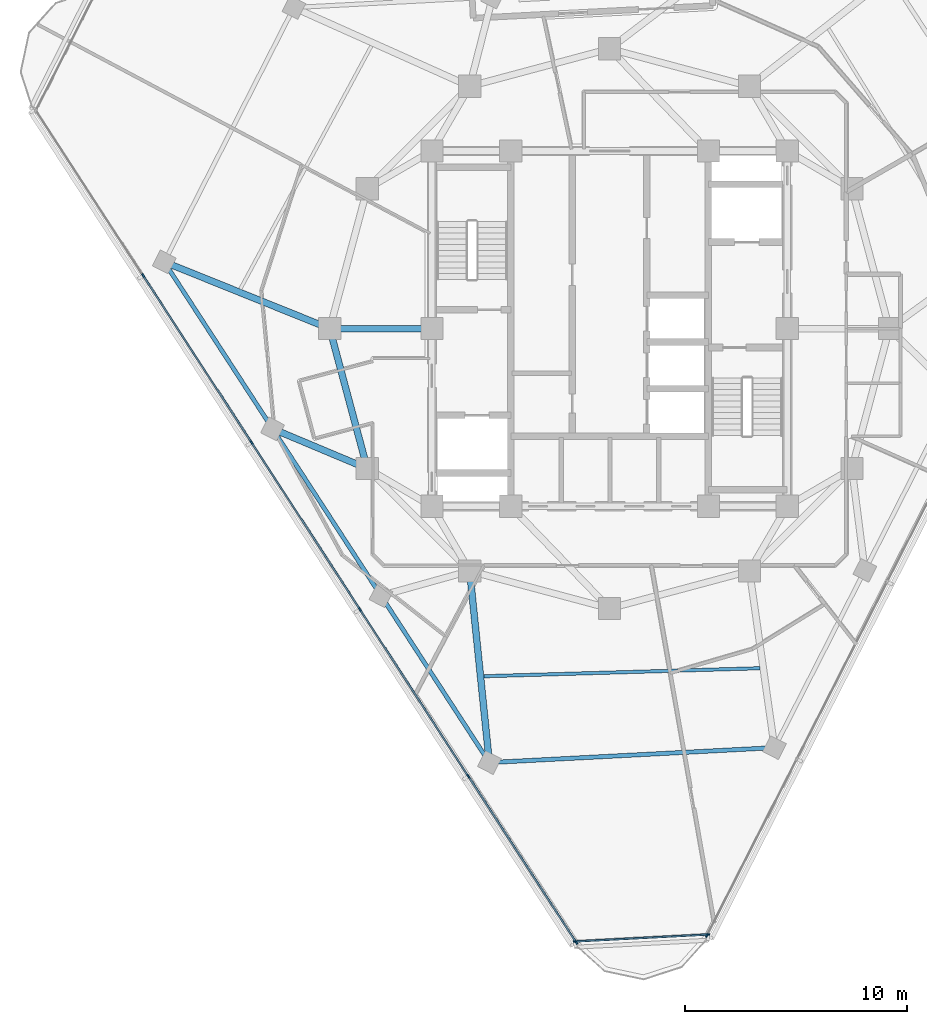
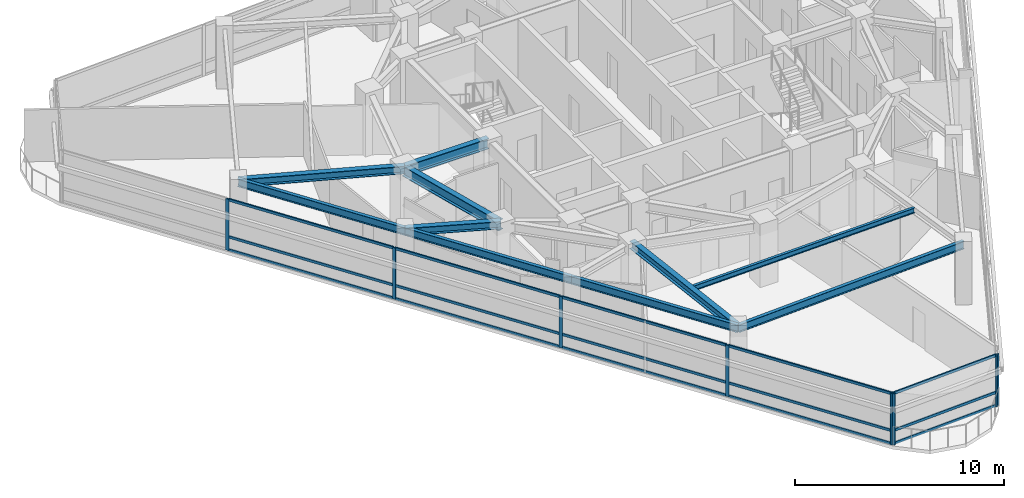
# One storey, part 2 of 15: 23 members, 10 beams, 3 elements without a shape of their own.
"""IFC4 building model written with IfcOpenShell, lengths in metres."""

from ifc_helpers import new_model, si_unit, direction, frame, origin, origin_2d, place, context, subcontext, project, spatial, rectangle, i_section, extrude, material, layer, layer_set, material_profile, profile_set, type_object, element, aggregate, save


model = new_model("IFC4")

# Units and contexts
model_context = context("Model", 3, precision=1e-05, world=origin(), true_north=direction((0.0, 1.0)))
body_context = subcontext(model_context, "Body", "Model", "MODEL_VIEW")
ifc_project = project(units=[si_unit("LENGTHUNIT", "METRE"), si_unit("AREAUNIT", "SQUARE_METRE"), si_unit("VOLUMEUNIT", "CUBIC_METRE"), si_unit("PLANEANGLEUNIT", "RADIAN"), si_unit("MASSUNIT", "GRAM", prefix="KILO")], contexts=[model_context])

# Site, building, storey
site_placement = place(None, origin())
site = spatial("IfcSite", under=ifc_project, at=site_placement, CompositionType="ELEMENT")
building_placement = place(site_placement, origin())
building = spatial("IfcBuilding", under=site, at=building_placement, Name="Terralouvre Media Tower", CompositionType="ELEMENT")
storey_placement = place(building_placement, frame((0.0, 0.0, 270.699951171875)))
storey = spatial("IfcBuildingStorey", under=building, at=storey_placement, Name="L70", CompositionType="ELEMENT", Elevation=270.699951171875)

# Beam
ifc_material_1 = material(Name="Structural steel S355J2", Category="steel")
ifc_material_profile_1 = material_profile(ifc_material_1, i_section(OverallWidth=0.14990234375, OverallDepth=0.300048828125, WebThickness=0.007080078125, FlangeThickness=0.0107421875, at=origin_2d()), Name="IPE 300")
ifc_profile_set_1 = profile_set([ifc_material_profile_1], Name="Structural steel S355J2")
beam_type_1 = type_object("IfcBeamType", Name="Composite Floor Joist J-IPE300 (IPE 300)", PredefinedType="JOIST", material=ifc_profile_set_1)
beam_1_placement = place(storey_placement, frame((-5.662353515625, -15.653564453125, 3.35009765625), z_axis=(0.999577320821, 0.029071974473, 0.0), x_axis=(-0.029071974473, 0.999577320821, 0.0)))
element("IfcBeam", 1, at=beam_1_placement, inside=storey, type_object=beam_type_1, Name="L70 Framing Beam JT-L70-01", PredefinedType="JOIST", context=body_context, shape_type="SweptSolid", body=[
    extrude(i_section(OverallWidth=0.14990234375, OverallDepth=0.300048828125, WebThickness=0.007080078125, FlangeThickness=0.0107421875, at=origin_2d()), origin(), (0.0, 0.0, 1.0), 12.437255859375),
])

# Curtain wall, members
ifc_material_2 = material(Name="Low-iron laminated double glazing with solar-control coating", Category="glass")
ifc_layer_1 = layer(ifc_material_2, 0.1650390625, Name="Upper Executive Tower Curtain Wall CW-05")
ifc_layer_set_1 = layer_set([ifc_layer_1], Name="Low-iron laminated double glazing with solar-control coating")
curtain_wall_type_1 = type_object("IfcCurtainWallType", Name="Upper Executive Tower Curtain Wall CW-05", PredefinedType="NOTDEFINED", material=ifc_layer_set_1)
curtain_wall_1_placement = place(storey_placement, origin())
curtain_wall_1 = element("IfcCurtainWall", 2, at=curtain_wall_1_placement, inside=storey, type_object=curtain_wall_type_1, Name="L70 Facade Curtain Wall F2", PredefinedType="NOTDEFINED")
ifc_material_3 = material(Name="Anodised extruded aluminium 6063-T6", Category="aluminium")
ifc_material_profile_2 = material_profile(ifc_material_3, rectangle(XDim=0.074951171875, YDim=0.14990234375, at=origin_2d()), Name="ALU 75x150")
ifc_profile_set_2 = profile_set([ifc_material_profile_2], Name="Anodised extruded aluminium 6063-T6")
member_type_1 = type_object("IfcMemberType", Name="Curtain-Wall Horizontal Transom TR-150", PredefinedType="USERDEFINED", material=ifc_profile_set_2)
member_1_placement = place(storey_placement, frame((-20.98046875, 2.355712890625, 0.03759765625), z_axis=(0.544647362145, -0.838665160185, 0.0), x_axis=(0.838665160185, 0.544647362145, 0.0)))
member_1 = element("IfcMember", 3, at=member_1_placement, type_object=member_type_1, Name="CW-05 transom 2.1", ObjectType="TRANSOM", PredefinedType="USERDEFINED", context=body_context, shape_type="SweptSolid", body=[
    extrude(rectangle(XDim=0.074951171875, YDim=0.14990234375, at=origin_2d()), origin(), (0.0, 0.0, 1.0), 8.884765625),
])
member_2_placement = place(storey_placement, frame((-20.98046875, 2.355712890625, 0.800048828125), z_axis=(0.544647362145, -0.838665160185, 0.0), x_axis=(0.838665160185, 0.544647362145, 0.0)))
member_2 = element("IfcMember", 4, at=member_2_placement, type_object=member_type_1, Name="CW-05 transom 2.2", ObjectType="TRANSOM", PredefinedType="USERDEFINED", context=body_context, shape_type="SweptSolid", body=[
    extrude(rectangle(XDim=0.074951171875, YDim=0.14990234375, at=origin_2d()), origin(), (0.0, 0.0, 1.0), 8.884765625),
])
member_3_placement = place(storey_placement, frame((-20.98046875, 2.355712890625, 2.962646484375), z_axis=(0.544647362145, -0.838665160185, 0.0), x_axis=(0.838665160185, 0.544647362145, 0.0)))
member_3 = element("IfcMember", 5, at=member_3_placement, type_object=member_type_1, Name="CW-05 transom 2.3", ObjectType="TRANSOM", PredefinedType="USERDEFINED", context=body_context, shape_type="SweptSolid", body=[
    extrude(rectangle(XDim=0.074951171875, YDim=0.14990234375, at=origin_2d()), origin(), (0.0, 0.0, 1.0), 8.884765625),
])
member_4_placement = place(storey_placement, frame((-16.1005859375, -5.15869140625, 0.03759765625), z_axis=(0.544634810925, -0.838673311087, 0.0), x_axis=(0.838673311087, 0.544634810925, 0.0)))
member_4 = element("IfcMember", 6, at=member_4_placement, type_object=member_type_1, Name="CW-05 transom 3.1", ObjectType="TRANSOM", PredefinedType="USERDEFINED", context=body_context, shape_type="SweptSolid", body=[
    extrude(rectangle(XDim=0.074951171875, YDim=0.14990234375, at=origin_2d()), origin(), (0.0, 0.0, 1.0), 8.885009765625),
])
member_5_placement = place(storey_placement, frame((-16.1005859375, -5.15869140625, 0.800048828125), z_axis=(0.544634810925, -0.838673311087, 0.0), x_axis=(0.838673311087, 0.544634810925, 0.0)))
member_5 = element("IfcMember", 7, at=member_5_placement, type_object=member_type_1, Name="CW-05 transom 3.2", ObjectType="TRANSOM", PredefinedType="USERDEFINED", context=body_context, shape_type="SweptSolid", body=[
    extrude(rectangle(XDim=0.074951171875, YDim=0.14990234375, at=origin_2d()), origin(), (0.0, 0.0, 1.0), 8.885009765625),
])
member_6_placement = place(storey_placement, frame((-16.1005859375, -5.15869140625, 2.962646484375), z_axis=(0.544634810925, -0.838673311087, 0.0), x_axis=(0.838673311087, 0.544634810925, 0.0)))
member_6 = element("IfcMember", 8, at=member_6_placement, type_object=member_type_1, Name="CW-05 transom 3.3", ObjectType="TRANSOM", PredefinedType="USERDEFINED", context=body_context, shape_type="SweptSolid", body=[
    extrude(rectangle(XDim=0.074951171875, YDim=0.14990234375, at=origin_2d()), origin(), (0.0, 0.0, 1.0), 8.885009765625),
])
member_7_placement = place(storey_placement, frame((-11.220458984375, -12.673095703125, 0.03759765625), z_axis=(0.544634810925, -0.838673311087, 0.0), x_axis=(0.838673311087, 0.544634810925, 0.0)))
member_7 = element("IfcMember", 9, at=member_7_placement, type_object=member_type_1, Name="CW-05 transom 4.1", ObjectType="TRANSOM", PredefinedType="USERDEFINED", context=body_context, shape_type="SweptSolid", body=[
    extrude(rectangle(XDim=0.074951171875, YDim=0.14990234375, at=origin_2d()), origin(), (0.0, 0.0, 1.0), 8.885009765625),
])
member_8_placement = place(storey_placement, frame((-11.220458984375, -12.673095703125, 0.800048828125), z_axis=(0.544634810925, -0.838673311087, 0.0), x_axis=(0.838673311087, 0.544634810925, 0.0)))
member_8 = element("IfcMember", 10, at=member_8_placement, type_object=member_type_1, Name="CW-05 transom 4.2", ObjectType="TRANSOM", PredefinedType="USERDEFINED", context=body_context, shape_type="SweptSolid", body=[
    extrude(rectangle(XDim=0.074951171875, YDim=0.14990234375, at=origin_2d()), origin(), (0.0, 0.0, 1.0), 8.885009765625),
])
member_9_placement = place(storey_placement, frame((-11.220458984375, -12.673095703125, 2.962646484375), z_axis=(0.544634810925, -0.838673311087, 0.0), x_axis=(0.838673311087, 0.544634810925, 0.0)))
member_9 = element("IfcMember", 11, at=member_9_placement, type_object=member_type_1, Name="CW-05 transom 4.3", ObjectType="TRANSOM", PredefinedType="USERDEFINED", context=body_context, shape_type="SweptSolid", body=[
    extrude(rectangle(XDim=0.074951171875, YDim=0.14990234375, at=origin_2d()), origin(), (0.0, 0.0, 1.0), 8.885009765625),
])
member_10_placement = place(storey_placement, frame((-6.340576171875, -20.187744140625, 0.03759765625), z_axis=(0.544630398361, -0.838676176591, 0.0), x_axis=(0.838676176591, 0.544630398361, 0.0)))
member_10 = element("IfcMember", 12, at=member_10_placement, type_object=member_type_1, Name="CW-05 transom 5.1", ObjectType="TRANSOM", PredefinedType="USERDEFINED", context=body_context, shape_type="SweptSolid", body=[
    extrude(rectangle(XDim=0.074951171875, YDim=0.14990234375, at=origin_2d()), origin(), (0.0, 0.0, 1.0), 8.847412109375),
])
member_11_placement = place(storey_placement, frame((-6.340576171875, -20.187744140625, 0.800048828125), z_axis=(0.544630398361, -0.838676176591, 0.0), x_axis=(0.838676176591, 0.544630398361, 0.0)))
member_11 = element("IfcMember", 13, at=member_11_placement, type_object=member_type_1, Name="CW-05 transom 5.2", ObjectType="TRANSOM", PredefinedType="USERDEFINED", context=body_context, shape_type="SweptSolid", body=[
    extrude(rectangle(XDim=0.074951171875, YDim=0.14990234375, at=origin_2d()), origin(), (0.0, 0.0, 1.0), 8.847412109375),
])
member_12_placement = place(storey_placement, frame((-6.340576171875, -20.187744140625, 2.962646484375), z_axis=(0.544630398361, -0.838676176591, 0.0), x_axis=(0.838676176591, 0.544630398361, 0.0)))
member_12 = element("IfcMember", 14, at=member_12_placement, type_object=member_type_1, Name="CW-05 transom 5.3", ObjectType="TRANSOM", PredefinedType="USERDEFINED", context=body_context, shape_type="SweptSolid", body=[
    extrude(rectangle(XDim=0.074951171875, YDim=0.14990234375, at=origin_2d()), origin(), (0.0, 0.0, 1.0), 8.847412109375),
])

ifc_material_4 = material(Name="Low-iron laminated double glazing with solar-control coating", Category="glass")
ifc_layer_2 = layer(ifc_material_4, 0.1650390625, Name="Rounded Wind-Corner Curved Glazing CW-04")
ifc_layer_set_2 = layer_set([ifc_layer_2], Name="Low-iron laminated double glazing with solar-control coating")
curtain_wall_type_2 = type_object("IfcCurtainWallType", Name="Rounded Wind-Corner Curved Glazing CW-04", PredefinedType="NOTDEFINED", material=ifc_layer_set_2)
curtain_wall_2_placement = place(storey_placement, origin())
curtain_wall_2 = element("IfcCurtainWall", 15, at=curtain_wall_2_placement, inside=storey, type_object=curtain_wall_type_2, Name="L70 Rounded Wind-Corner Curtain Wall C0", PredefinedType="NOTDEFINED")
member_13_placement = place(storey_placement, frame((-1.51416015625, -27.59228515625, 0.03759765625), z_axis=(0.998630348994, 0.052320417325, 0.0), x_axis=(-0.052320417325, 0.998630348994, 0.0)))
member_13 = element("IfcMember", 16, at=member_13_placement, type_object=member_type_1, Name="CW-04 transom 1.1", ObjectType="TRANSOM", PredefinedType="USERDEFINED", context=body_context, shape_type="SweptSolid", body=[
    extrude(rectangle(XDim=0.074951171875, YDim=0.14990234375, at=origin_2d()), origin(), (0.0, 0.0, 1.0), 5.912109375),
])
member_14_placement = place(storey_placement, frame((-1.51416015625, -27.59228515625, 0.800048828125), z_axis=(0.998630348994, 0.052320417325, 0.0), x_axis=(-0.052320417325, 0.998630348994, 0.0)))
member_14 = element("IfcMember", 17, at=member_14_placement, type_object=member_type_1, Name="CW-04 transom 1.2", ObjectType="TRANSOM", PredefinedType="USERDEFINED", context=body_context, shape_type="SweptSolid", body=[
    extrude(rectangle(XDim=0.074951171875, YDim=0.14990234375, at=origin_2d()), origin(), (0.0, 0.0, 1.0), 5.912109375),
])
member_15_placement = place(storey_placement, frame((-1.51416015625, -27.59228515625, 2.962646484375), z_axis=(0.998630348994, 0.052320417325, 0.0), x_axis=(-0.052320417325, 0.998630348994, 0.0)))
member_15 = element("IfcMember", 18, at=member_15_placement, type_object=member_type_1, Name="CW-04 transom 1.3", ObjectType="TRANSOM", PredefinedType="USERDEFINED", context=body_context, shape_type="SweptSolid", body=[
    extrude(rectangle(XDim=0.074951171875, YDim=0.14990234375, at=origin_2d()), origin(), (0.0, 0.0, 1.0), 5.912109375),
])

# Curtain wall, member
curtain_wall_3_placement = place(storey_placement, origin())
curtain_wall_3 = element("IfcCurtainWall", 19, at=curtain_wall_3_placement, inside=storey, type_object=curtain_wall_type_1, Name="L70 Facade Curtain Wall F0", PredefinedType="NOTDEFINED")
ifc_material_5 = material(Name="Anodised extruded aluminium 6063-T6", Category="aluminium")
ifc_material_profile_3 = material_profile(ifc_material_5, rectangle(XDim=0.074951171875, YDim=0.179931640625, at=origin_2d()), Name="ALU 75x180")
ifc_profile_set_3 = profile_set([ifc_material_profile_3], Name="Anodised extruded aluminium 6063-T6")
member_type_2 = type_object("IfcMemberType", Name="Curtain-Wall Vertical Mullion ML-180", PredefinedType="MULLION", material=ifc_profile_set_3)
member_16_placement = place(storey_placement, frame((4.38232421875, -27.330810546875, 0.0), z_axis=(0.0, 0.0, 1.0), x_axis=(-0.891006553308, 0.45399044259, 0.0)))
member_16 = element("IfcMember", 20, at=member_16_placement, type_object=member_type_2, Name="CW-05 mullion 1", PredefinedType="MULLION", context=body_context, shape_type="SweptSolid", body=[
    extrude(rectangle(XDim=0.074951171875, YDim=0.179931640625, at=origin_2d()), origin(), (0.0, 0.0, 1.0), 3.0),
])
aggregate(curtain_wall_3, [member_16])

# Member
member_17_placement = place(storey_placement, frame((-21.0009765625, 2.38720703125, 0.0), z_axis=(0.0, 0.0, 1.0), x_axis=(0.838670545826, 0.544639069077, 0.0)))
member_17 = element("IfcMember", 21, at=member_17_placement, type_object=member_type_2, Name="CW-05 mullion 2", PredefinedType="MULLION", context=body_context, shape_type="SweptSolid", body=[
    extrude(rectangle(XDim=0.074951171875, YDim=0.179931640625, at=origin_2d()), origin(), (0.0, 0.0, 1.0), 3.0),
])

member_18_placement = place(storey_placement, frame((-16.120849609375, -5.127197265625, 0.0), z_axis=(0.0, 0.0, 1.0), x_axis=(0.838670545826, 0.544639069077, 0.0)))
member_18 = element("IfcMember", 22, at=member_18_placement, type_object=member_type_2, Name="CW-05 mullion 3", PredefinedType="MULLION", context=body_context, shape_type="SweptSolid", body=[
    extrude(rectangle(XDim=0.074951171875, YDim=0.179931640625, at=origin_2d()), origin(), (0.0, 0.0, 1.0), 3.0),
])

member_19_placement = place(storey_placement, frame((-11.240966796875, -12.641845703125, 0.0), z_axis=(0.0, 0.0, 1.0), x_axis=(0.838670545826, 0.544639069077, 0.0)))
member_19 = element("IfcMember", 23, at=member_19_placement, type_object=member_type_2, Name="CW-05 mullion 4", PredefinedType="MULLION", context=body_context, shape_type="SweptSolid", body=[
    extrude(rectangle(XDim=0.074951171875, YDim=0.179931640625, at=origin_2d()), origin(), (0.0, 0.0, 1.0), 3.0),
])

member_20_placement = place(storey_placement, frame((-6.361083984375, -20.15625, 0.0), z_axis=(0.0, 0.0, 1.0), x_axis=(0.838670545826, 0.544639069077, 0.0)))
member_20 = element("IfcMember", 24, at=member_20_placement, type_object=member_type_2, Name="CW-05 mullion 5", PredefinedType="MULLION", context=body_context, shape_type="SweptSolid", body=[
    extrude(rectangle(XDim=0.074951171875, YDim=0.179931640625, at=origin_2d()), origin(), (0.0, 0.0, 1.0), 3.0),
])

member_21_placement = place(storey_placement, frame((-1.50146484375, -27.63916015625, 0.0), z_axis=(0.0, 0.0, 1.0), x_axis=(0.838670545826, 0.544639069077, 0.0)))
member_21 = element("IfcMember", 25, at=member_21_placement, type_object=member_type_2, Name="CW-05 mullion 6", PredefinedType="MULLION", context=body_context, shape_type="SweptSolid", body=[
    extrude(rectangle(XDim=0.074951171875, YDim=0.179931640625, at=origin_2d()), origin(), (0.0, 0.0, 1.0), 3.0),
])

aggregate(curtain_wall_1, [member_17, member_18, member_19, member_20, member_21, member_1, member_2, member_3, member_4, member_5, member_6, member_7, member_8, member_9, member_10, member_11, member_12])

member_22_placement = place(storey_placement, frame((-1.551513671875, -27.59423828125, 0.0), z_axis=(0.0, 0.0, 1.0), x_axis=(-0.05233597552, 0.998629533744, 0.0)))
member_22 = element("IfcMember", 26, at=member_22_placement, type_object=member_type_2, Name="CW-04 mullion 1", PredefinedType="MULLION", context=body_context, shape_type="SweptSolid", body=[
    extrude(rectangle(XDim=0.074951171875, YDim=0.179931640625, at=origin_2d()), origin(), (0.0, 0.0, 1.0), 3.0),
])

member_23_placement = place(storey_placement, frame((4.427490234375, -27.281005859375, 0.0), z_axis=(0.0, 0.0, 1.0), x_axis=(-0.05233597552, 0.998629533744, 0.0)))
member_23 = element("IfcMember", 27, at=member_23_placement, type_object=member_type_2, Name="CW-04 mullion 2", PredefinedType="MULLION", context=body_context, shape_type="SweptSolid", body=[
    extrude(rectangle(XDim=0.074951171875, YDim=0.179931640625, at=origin_2d()), origin(), (0.0, 0.0, 1.0), 3.0),
])

aggregate(curtain_wall_2, [member_22, member_23, member_13, member_14, member_15])

# Beams
ifc_material_6 = material(Name="Structural steel S355J2", Category="steel")
ifc_material_profile_4 = material_profile(ifc_material_6, i_section(OverallWidth=0.18994140625, OverallDepth=0.449951171875, WebThickness=0.009521484375, FlangeThickness=0.0146484375, at=origin_2d()), Name="IPE 450")
ifc_profile_set_4 = profile_set([ifc_material_profile_4], Name="Structural steel S355J2")
beam_type_2 = type_object("IfcBeamType", Name="Perimeter Spandrel Beam SPB-450 (IPE 450)", PredefinedType="SPANDREL", material=ifc_profile_set_4)
beam_2_placement = place(storey_placement, frame((-15.17333984375, -4.51171875, 3.275146484375), z_axis=(0.544643524961, -0.838667652123, 0.0), x_axis=(0.838667652123, 0.544643524961, 0.0)))
element("IfcBeam", 28, at=beam_2_placement, inside=storey, type_object=beam_type_2, Name="L70 Framing Beam BM-L70-PR01", PredefinedType="SPANDREL", context=body_context, shape_type="SweptSolid", body=[
    extrude(i_section(OverallWidth=0.18994140625, OverallDepth=0.449951171875, WebThickness=0.009521484375, FlangeThickness=0.0146484375, at=origin_2d()), origin(), (0.0, 0.0, 1.0), 8.960205078125),
])
beam_3_placement = place(storey_placement, frame((-10.293212890625, -12.0263671875, 3.275146484375), z_axis=(0.544636805853, -0.838672015576, 0.0), x_axis=(0.838672015576, 0.544636805853, 0.0)))
element("IfcBeam", 29, at=beam_3_placement, inside=storey, type_object=beam_type_2, Name="L70 Framing Beam BM-L70-PR02", PredefinedType="SPANDREL", context=body_context, shape_type="SweptSolid", body=[
    extrude(i_section(OverallWidth=0.18994140625, OverallDepth=0.449951171875, WebThickness=0.009521484375, FlangeThickness=0.0146484375, at=origin_2d()), origin(), (0.0, 0.0, 1.0), 8.9599609375),
])
beam_4_placement = place(storey_placement, frame((-5.413330078125, -19.540771484375, 3.275146484375), z_axis=(0.998629710924, 0.052332594613, 0.0), x_axis=(-0.052332594613, 0.998629710924, 0.0)))
element("IfcBeam", 30, at=beam_4_placement, inside=storey, type_object=beam_type_2, Name="L70 Framing Beam BM-L70-PR03", PredefinedType="SPANDREL", context=body_context, shape_type="SweptSolid", body=[
    extrude(i_section(OverallWidth=0.18994140625, OverallDepth=0.449951171875, WebThickness=0.009521484375, FlangeThickness=0.0146484375, at=origin_2d()), origin(), (0.0, 0.0, 1.0), 12.857177734375),
])
beam_5_placement = place(storey_placement, frame((-20.05322265625, 3.002685546875, 3.275146484375), z_axis=(0.544636805853, -0.838672015576, 0.0), x_axis=(0.838672015576, 0.544636805853, 0.0)))
element("IfcBeam", 31, at=beam_5_placement, inside=storey, type_object=beam_type_2, Name="L70 Framing Beam BM-L70-PR12", PredefinedType="SPANDREL", context=body_context, shape_type="SweptSolid", body=[
    extrude(i_section(OverallWidth=0.18994140625, OverallDepth=0.449951171875, WebThickness=0.009521484375, FlangeThickness=0.0146484375, at=origin_2d()), origin(), (0.0, 0.0, 1.0), 8.9599609375),
])
ifc_material_7 = material(Name="Structural steel S355J2", Category="steel")
ifc_material_profile_5 = material_profile(ifc_material_7, i_section(OverallWidth=0.300048828125, OverallDepth=0.449951171875, WebThickness=0.013916015625, FlangeThickness=0.02587890625, at=origin_2d()), Name="HEB 450")
ifc_profile_set_5 = profile_set([ifc_material_profile_5], Name="Structural steel S355J2")
beam_type_3 = type_object("IfcBeamType", Name="Primary Floor Girder B-HEB450 (HEB 450)", PredefinedType="BEAM", material=ifc_profile_set_5)
beam_6_placement = place(storey_placement, frame((-10.911865234375, -6.300048828125, 3.275146484375), z_axis=(-0.922097113404, 0.386958542291, 0.0), x_axis=(-0.386958542291, -0.922097113404, 0.0)))
element("IfcBeam", 32, at=beam_6_placement, inside=storey, type_object=beam_type_3, Name="L70 Framing Beam BM-L70-RD01", PredefinedType="BEAM", context=body_context, shape_type="SweptSolid", body=[
    extrude(i_section(OverallWidth=0.300048828125, OverallDepth=0.449951171875, WebThickness=0.013916015625, FlangeThickness=0.02587890625, at=origin_2d()), origin(), (0.0, 0.0, 1.0), 4.62158203125),
])
beam_7_placement = place(storey_placement, frame((-6.300048828125, -10.911865234375, 3.275146484375), z_axis=(0.102223114396, -0.994761496482, 0.0), x_axis=(0.994761496482, 0.102223114396, 0.0)))
element("IfcBeam", 33, at=beam_7_placement, inside=storey, type_object=beam_type_3, Name="L70 Framing Beam BM-L70-RD03", PredefinedType="BEAM", context=body_context, shape_type="SweptSolid", body=[
    extrude(i_section(OverallWidth=0.300048828125, OverallDepth=0.449951171875, WebThickness=0.013916015625, FlangeThickness=0.02587890625, at=origin_2d()), origin(), (0.0, 0.0, 1.0), 8.67431640625),
])
beam_8_placement = place(storey_placement, frame((-12.60009765625, 0.0, 3.275146484375), z_axis=(-0.927553949727, 0.373689269775, 0.0), x_axis=(-0.373689269775, -0.927553949727, 0.0)))
element("IfcBeam", 34, at=beam_8_placement, inside=storey, type_object=beam_type_3, Name="L70 Framing Beam BM-L70-RD12", PredefinedType="BEAM", context=body_context, shape_type="SweptSolid", body=[
    extrude(i_section(OverallWidth=0.300048828125, OverallDepth=0.449951171875, WebThickness=0.013916015625, FlangeThickness=0.02587890625, at=origin_2d()), origin(), (0.0, 0.0, 1.0), 8.03515625),
])
ifc_material_8 = material(Name="Structural steel S460M", Category="steel")
ifc_material_profile_6 = material_profile(ifc_material_8, i_section(OverallWidth=0.300048828125, OverallDepth=0.60009765625, WebThickness=0.015380859375, FlangeThickness=0.030029296875, at=origin_2d()), Name="HEB 600")
ifc_profile_set_6 = profile_set([ifc_material_profile_6], Name="Structural steel S460M")
beam_type_4 = type_object("IfcBeamType", Name="Primary Floor Girder B-HEB600 (HEB 600)", PredefinedType="BEAM", material=ifc_profile_set_6)
beam_9_placement = place(storey_placement, frame((-12.60009765625, 0.0, 3.199951171875), z_axis=(0.258838989821, -0.965920481897, 0.0), x_axis=(0.965920481897, 0.258838989821, 0.0)))
element("IfcBeam", 35, at=beam_9_placement, inside=storey, type_object=beam_type_4, Name="L70 Framing Beam BM-L70-MR12", PredefinedType="BEAM", context=body_context, shape_type="SweptSolid", body=[
    extrude(i_section(OverallWidth=0.300048828125, OverallDepth=0.60009765625, WebThickness=0.015380859375, FlangeThickness=0.030029296875, at=origin_2d()), origin(), (0.0, 0.0, 1.0), 6.522216796875),
])
beam_10_placement = place(storey_placement, frame((-8.0, 0.0, 3.199951171875), z_axis=(-1.0, 0.0, 0.0), x_axis=(0.0, -1.0, 0.0)))
element("IfcBeam", 36, at=beam_10_placement, inside=storey, type_object=beam_type_4, Name="L70 Framing Beam BM-L70-CM12", PredefinedType="BEAM", context=body_context, shape_type="SweptSolid", body=[
    extrude(i_section(OverallWidth=0.300048828125, OverallDepth=0.60009765625, WebThickness=0.015380859375, FlangeThickness=0.030029296875, at=origin_2d()), origin(), (0.0, 0.0, 1.0), 4.60009765625),
])

save(model, "model.ifc")
